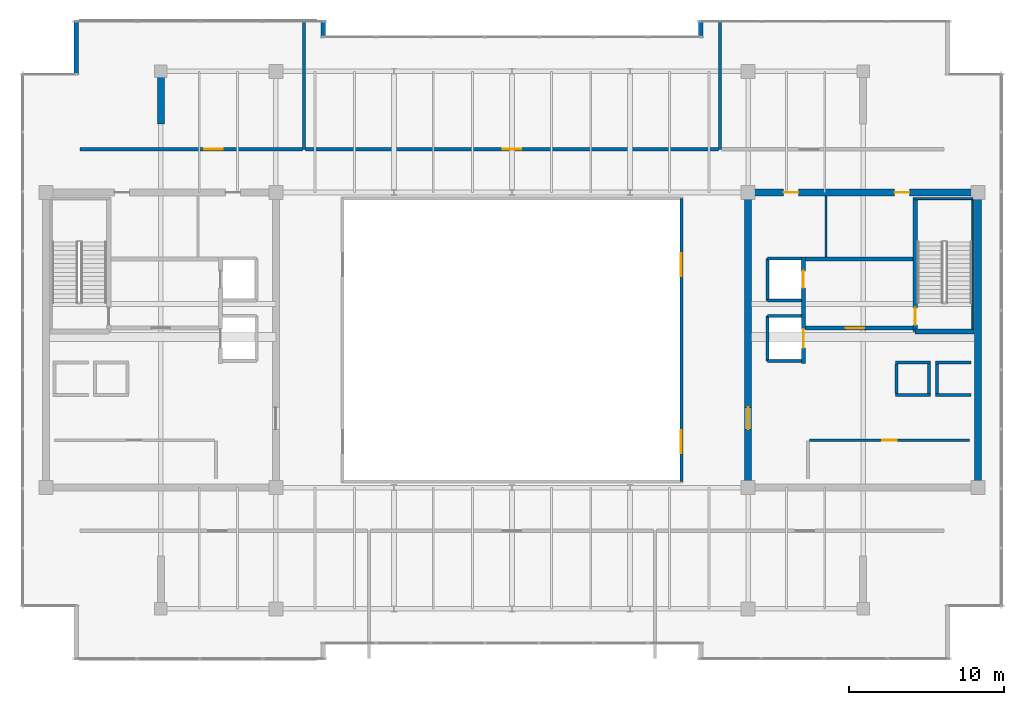
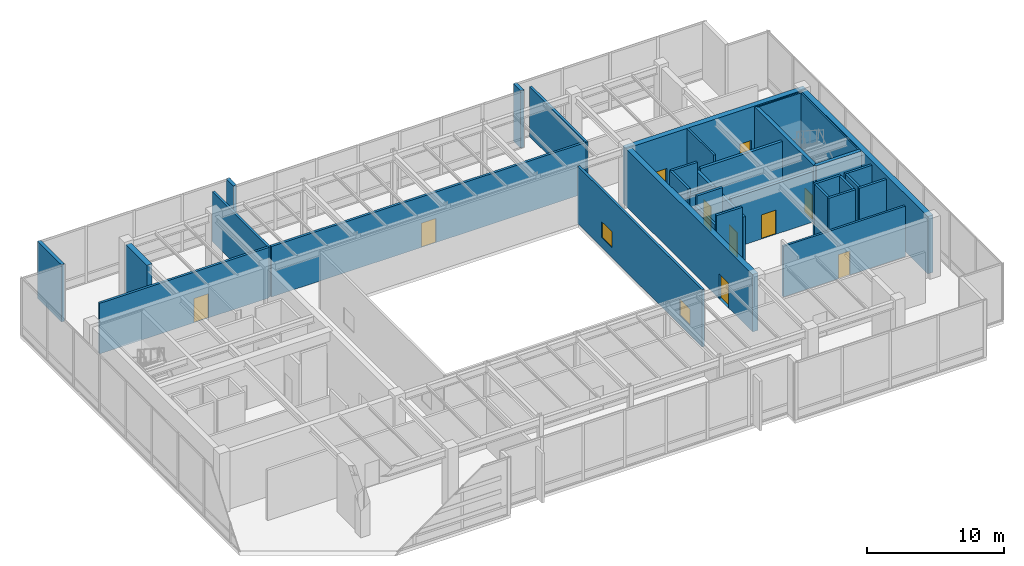
# One storey, part 26 of 30: 34 walls, 10 doors, 2 windows, 12 openings.
"""IFC4 building model written with IfcOpenShell, lengths in metres."""

from ifc_helpers import new_model, si_unit, direction, frame, frame_2d, origin, place, context, subcontext, project, spatial, rectangle, extrude, source, transform, mapped, material, layer, layer_set, type_object, type_shapes, element, fill, save


model = new_model("IFC4")

# Units and contexts
model_context = context("Model", 3, precision=1e-05, world=origin(), true_north=direction((0.0, 1.0)))
body_context = subcontext(model_context, "Body", "Model", "MODEL_VIEW")
ifc_project = project(units=[si_unit("LENGTHUNIT", "METRE"), si_unit("AREAUNIT", "SQUARE_METRE"), si_unit("VOLUMEUNIT", "CUBIC_METRE"), si_unit("PLANEANGLEUNIT", "RADIAN"), si_unit("MASSUNIT", "GRAM", prefix="KILO")], contexts=[model_context])

# Site, building, storey
site_placement = place(None, origin())
site = spatial("IfcSite", under=ifc_project, at=site_placement, CompositionType="ELEMENT")
building_placement = place(site_placement, origin())
building = spatial("IfcBuilding", under=site, at=building_placement, Name="Haelvirn Gate Laboratories", CompositionType="ELEMENT")
storey_placement = place(building_placement, frame((0.0, 0.0, 327.0)))
storey = spatial("IfcBuildingStorey", under=building, at=storey_placement, Name="L78", CompositionType="ELEMENT", Elevation=327.0)

# Walls
ifc_material_1 = material(Name="Thermally-broken bronze aluminium rainscreen & mineral wool", Category="aluminium")
ifc_layer_1 = layer(ifc_material_1, 0.280029296875, Name="EW-TERR-280")
ifc_layer_set_1 = layer_set([ifc_layer_1], Name="Thermally-broken bronze aluminium rainscreen & mineral wool")
wall_type_1 = type_object("IfcWallType", Name="EW-TERR-280", PredefinedType="STANDARD", material=ifc_layer_set_1)
for number, where, z_axis, x_axis, name in (
    (1, (49.5400390625, 44.89990234375, 0.0), (0.0, 0.0, 1.0), (0.0, -1.0, 0.0), "L78 Atrium Recess Bronze Return Wall 11"),
    (2, (25.260009765625, 43.81689453125, 0.0), (0.0, 0.0, 1.0), (0.0, 1.0, 0.0), "L78 Atrium Recess Bronze Return Wall 13"),
):
    element("IfcWall", number, at=place(storey_placement, frame(where, z_axis=z_axis, x_axis=x_axis)), inside=storey, type_object=wall_type_1, Name=name, PredefinedType="STANDARD", context=body_context, shape_type="SweptSolid", body=[
        extrude(rectangle(XDim=1.0830078125, YDim=0.280029296875, at=frame_2d((0.54150390625, 0.0))), origin(), (0.0, 0.0, 1.0), 5.1201171875),
    ])
wall_1_placement = place(storey_placement, frame((9.340087890625, 44.89990234375, 0.0), z_axis=(0.0, 0.0, 1.0), x_axis=(0.0, -1.0, 0.0)))
element("IfcWall", 3, at=wall_1_placement, inside=storey, type_object=wall_type_1, Name="L78 Atrium Recess Bronze Return Wall 15", PredefinedType="STANDARD", context=body_context, shape_type="SweptSolid", body=[
    extrude(rectangle(XDim=3.48779296875, YDim=0.280029296875, at=frame_2d((1.743896484375, 0.0))), origin(), (0.0, 0.0, 1.0), 5.1201171875),
])

# Wall, openings, windows
ifc_material_2 = material(Name="Tempered fire-rated borosilicate glass & anodised aluminium", Category="aluminium")
ifc_layer_2 = layer(ifc_material_2, 0.195068359375, Name="IW-GLAZ-200")
ifc_layer_set_2 = layer_set([ifc_layer_2], Name="Tempered fire-rated borosilicate glass & anodised aluminium")
wall_type_2 = type_object("IfcWallType", Name="IW-GLAZ-200", PredefinedType="SOLIDWALL", material=ifc_layer_set_2)
wall_2_placement = place(storey_placement, frame((48.300048828125, 15.199951171875, 0.0), z_axis=(0.0, 0.0, 1.0), x_axis=(0.0, 1.0, 0.0)))
wall_2 = element("IfcWall", 4, at=wall_2_placement, inside=storey, type_object=wall_type_2, Name="L78 Interior Wall IW-L78-ATRIUM-E", PredefinedType="SOLIDWALL", context=body_context, shape_type="SweptSolid", body=[
    extrude(rectangle(XDim=18.199951171875, YDim=0.195068359375, at=frame_2d((9.10009765625, 0.0))), origin(), (0.0, 0.0, 1.0), 5.1201171875),
])
opening_1_placement = place(wall_2_placement, frame((1.800048828125, 0.0, 0.89990234375)))
opening_1 = element("IfcOpeningElement", 5, at=opening_1_placement, cuts=wall_2, Name="Opening W5", PredefinedType="OPENING", context=body_context, shape_type="SweptSolid", body=[
    extrude(rectangle(XDim=1.5, YDim=1.39990234375, at=frame_2d((0.75, 0.699951171875))), frame((0.0, 0.107421875, 0.0), z_axis=(0.0, -1.0, 0.0), x_axis=(1.0, 0.0, 0.0)), (0.0, 0.0, 1.0), 0.215087890625),
])
opening_2_placement = place(wall_2_placement, frame((13.199951171875, 0.0, 0.89990234375)))
opening_2 = element("IfcOpeningElement", 6, at=opening_2_placement, cuts=wall_2, Name="Opening W5", PredefinedType="OPENING", context=body_context, shape_type="SweptSolid", body=[
    extrude(rectangle(XDim=1.5, YDim=1.39990234375, at=frame_2d((0.75, 0.699951171875))), frame((0.0, 0.107421875, 0.0), z_axis=(0.0, -1.0, 0.0), x_axis=(1.0, 0.0, 0.0)), (0.0, 0.0, 1.0), 0.215087890625),
])
ifc_material_3 = material(Name="Fire-rated EI 120 borosilicate atrium vision glazing", Category="glass")
window_type = type_object("IfcWindowType", Name="WN-ATR-1500", PartitioningType="SINGLE_PANEL", PredefinedType="WINDOW", material=ifc_material_3)
shared_shape_1 = source(origin(), body_context, "Body", "SweptSolid", [
    extrude(rectangle(XDim=1.5, YDim=1.39990234375, at=frame_2d((0.75, 0.699951171875))), frame((0.0, 0.030029296875, 0.0), z_axis=(0.0, -1.0, 0.0), x_axis=(1.0, 0.0, 0.0)), (0.0, 0.0, 1.0), 0.06005859375),
])
type_shapes(window_type, [shared_shape_1])
window_1_placement = place(opening_1_placement, origin())
window_1 = element("IfcWindow", 7, at=window_1_placement, inside=storey, type_object=window_type, Name="L78 Atrium Observation Window 1", OverallHeight=1.39990234375, OverallWidth=1.5, PartitioningType="SINGLE_PANEL", PredefinedType="WINDOW", context=body_context, shape_type="MappedRepresentation", body=[
    mapped(shared_shape_1, transform((0.0, 0.0, 0.0), scale=1.0)),
])
fill(opening_1, window_1)
window_2_placement = place(opening_2_placement, origin())
window_2 = element("IfcWindow", 8, at=window_2_placement, inside=storey, type_object=window_type, Name="L78 Atrium Observation Window 2", OverallHeight=1.39990234375, OverallWidth=1.5, PartitioningType="SINGLE_PANEL", PredefinedType="WINDOW", context=body_context, shape_type="MappedRepresentation", body=[
    mapped(shared_shape_1, transform((0.0, 0.0, 0.0), scale=1.0)),
])
fill(opening_2, window_2)

# Walls
ifc_material_4 = material(Name="Cement-board restroom plumbing chase wall", Category="gypsum")
ifc_layer_3 = layer(ifc_material_4, 0.155029296875, Name="IW-PLUMB-160")
ifc_layer_set_3 = layer_set([ifc_layer_3], Name="Cement-board restroom plumbing chase wall")
wall_type_3 = type_object("IfcWallType", Name="IW-PLUMB-160", PredefinedType="PLUMBINGWALL", material=ifc_layer_set_3)
wall_3_placement = place(storey_placement, frame((57.610107421875, 29.64990234375, 0.0), z_axis=(0.0, 0.0, 1.0), x_axis=(0.0, 1.0, 0.0)))
element("IfcWall", 9, at=wall_3_placement, inside=storey, type_object=wall_type_3, Name="L78 Interior Wall IW-L78-E-CDIV-1", PredefinedType="PLUMBINGWALL", context=body_context, shape_type="SweptSolid", body=[
    extrude(rectangle(XDim=3.93017578125, YDim=0.155029296875, at=frame_2d((1.965087890625, 0.0))), origin(), (0.0, 0.0, 1.0), 5.1201171875),
])
ifc_material_5 = material(Name="Concrete C40/50", Category="concrete")
ifc_layer_4 = layer(ifc_material_5, 0.179931640625, Name="IW-SHAFT-180")
ifc_layer_set_4 = layer_set([ifc_layer_4], Name="Concrete C40/50")
wall_type_4 = type_object("IfcWallType", Name="IW-SHAFT-180", PredefinedType="SOLIDWALL", material=ifc_layer_set_4)
for number, where, z_axis, x_axis, name in (
    (10, (64.75, 20.85009765625, 0.0), (0.0, 0.0, 1.0), (0.0, 1.0, 0.0), "L78 Interior Wall IW-L78-PL11-SD"),
    (11, (62.14990234375, 20.85009765625, 0.0), (0.0, 0.0, 1.0), (0.0, 1.0, 0.0), "L78 Interior Wall IW-L78-PL12-SD"),
    (12, (64.25, 20.85009765625, 0.0), (0.0, 0.0, 1.0), (0.0, 1.0, 0.0), "L78 Interior Wall IW-L78-PL12-SDE"),
):
    element("IfcWall", number, at=place(storey_placement, frame(where, z_axis=z_axis, x_axis=x_axis)), inside=storey, type_object=wall_type_4, Name=name, PredefinedType="SOLIDWALL", context=body_context, shape_type="SweptSolid", body=[
        extrude(rectangle(XDim=1.89990234375, YDim=0.179931640625, at=frame_2d((0.949951171875, 0.0))), origin(), (0.0, 0.0, 1.0), 5.1201171875),
    ])

# Wall, opening, door
wall_4_placement = place(storey_placement, frame((56.550048828125, 17.85009765625, 0.0), z_axis=(0.0, 0.0, 1.0), x_axis=(1.0, 0.0, 0.0)))
wall_4 = element("IfcWall", 13, at=wall_4_placement, inside=storey, type_object=wall_type_4, Name="L78 Interior Wall IW-L78-E-FREED-HN-1", PredefinedType="SOLIDWALL", context=body_context, shape_type="SweptSolid", body=[
    extrude(rectangle(XDim=10.300048828125, YDim=0.179931640625, at=frame_2d((5.14990234375, 0.0))), origin(), (0.0, 0.0, 1.0), 4.51708984375),
])
opening_3_placement = place(wall_4_placement, frame((4.675048828125, 0.0, 0.0)))
opening_3 = element("IfcOpeningElement", 14, at=opening_3_placement, cuts=wall_4, Name="Opening FD4", PredefinedType="OPENING", context=body_context, shape_type="SweptSolid", body=[
    extrude(rectangle(XDim=0.949951171875, YDim=2.14990234375, at=frame_2d((0.47509765625, 1.074951171875))), frame((0.0, 0.10009765625, 0.0), z_axis=(0.0, -1.0, 0.0), x_axis=(1.0, 0.0, 0.0)), (0.0, 0.0, 1.0), 0.199951171875),
])
ifc_material_6 = material(Name="Fire-rated steel SM355 core service door", Category="steel")
door_type_1 = type_object("IfcDoorType", Name="DR-FD-950", OperationType="NOTDEFINED", PredefinedType="DOOR", material=ifc_material_6)
shared_shape_2 = source(origin(), body_context, "Body", "SweptSolid", [
    extrude(rectangle(XDim=0.949951171875, YDim=2.14990234375, at=frame_2d((0.47509765625, 1.074951171875))), frame((0.0, 0.02490234375, 0.0), z_axis=(0.0, -1.0, 0.0), x_axis=(1.0, 0.0, 0.0)), (0.0, 0.0, 1.0), 0.050048828125),
])
type_shapes(door_type_1, [shared_shape_2])
door_1_placement = place(opening_3_placement, origin())
door_1 = element("IfcDoor", 15, at=door_1_placement, inside=storey, type_object=door_type_1, Name="L78 High-Zone Cryogenic Biobank Vault Door", OperationType="SINGLE_SWING_LEFT", OverallHeight=2.14990234375, OverallWidth=0.949951171875, PredefinedType="DOOR", context=body_context, shape_type="MappedRepresentation", body=[
    mapped(shared_shape_2, transform((0.0, 0.0, 0.0), scale=1.0)),
])
fill(opening_3, door_1)

# Walls
ifc_layer_5 = layer(ifc_material_5, 0.199951171875, Name="IW-SHAFT-200")
ifc_layer_set_5 = layer_set([ifc_layer_5], Name="Concrete C40/50")
wall_type_5 = type_object("IfcWallType", Name="IW-SHAFT-200", PredefinedType="SOLIDWALL", material=ifc_layer_set_5)
for number, where, z_axis, x_axis, name in (
    (16, (64.669921875, 20.75, 0.0), (0.0, 0.0, 1.0), (1.0, 0.0, 0.0), "L78 Interior Wall IW-L78-PL11-FR"),
    (17, (64.669921875, 22.85009765625, 0.0), (0.0, 0.0, 1.0), (1.0, 0.0, 0.0), "L78 Interior Wall IW-L78-PL11-BK"),
    (18, (62.070068359375, 20.75, 0.0), (0.0, 0.0, 1.0), (1.0, 0.0, 0.0), "L78 Interior Wall IW-L78-PL12-FR"),
    (19, (62.070068359375, 22.85009765625, 0.0), (0.0, 0.0, 1.0), (1.0, 0.0, 0.0), "L78 Interior Wall IW-L78-PL12-BK"),
):
    element("IfcWall", number, at=place(storey_placement, frame(where, z_axis=z_axis, x_axis=x_axis)), inside=storey, type_object=wall_type_5, Name=name, PredefinedType="SOLIDWALL", context=body_context, shape_type="SweptSolid", body=[
        extrude(rectangle(XDim=2.260009765625, YDim=0.199951171875, at=frame_2d((1.1298828125, 0.0))), origin(), (0.0, 0.0, 1.0), 5.1201171875),
    ])
wall_5_placement = place(storey_placement, frame((53.85009765625, 26.85009765625, 0.0), z_axis=(0.0, 0.0, 1.0), x_axis=(0.0, 1.0, 0.0)))
element("IfcWall", 20, at=wall_5_placement, inside=storey, type_object=wall_type_5, Name="L78 Interior Wall IW-L78-FL2-BK", PredefinedType="SOLIDWALL", context=body_context, shape_type="SweptSolid", body=[
    extrude(rectangle(XDim=2.699951171875, YDim=0.199951171875, at=frame_2d((1.35009765625, 0.0))), origin(), (0.0, 0.0, 1.0), 5.1201171875),
])
wall_6_placement = place(storey_placement, frame((53.85009765625, 29.550048828125, 0.0), z_axis=(0.0, 0.0, 1.0), x_axis=(1.0, 0.0, 0.0)))
element("IfcWall", 21, at=wall_6_placement, inside=storey, type_object=wall_type_5, Name="L78 Interior Wall IW-L78-FL2-N", PredefinedType="SOLIDWALL", context=body_context, shape_type="SweptSolid", body=[
    extrude(rectangle(XDim=2.18994140625, YDim=0.199951171875, at=frame_2d((1.094970703125, 0.0))), origin(), (0.0, 0.0, 1.0), 5.1201171875),
])
wall_7_placement = place(storey_placement, frame((53.85009765625, 26.85009765625, 0.0), z_axis=(0.0, 0.0, 1.0), x_axis=(1.0, 0.0, 0.0)))
element("IfcWall", 22, at=wall_7_placement, inside=storey, type_object=wall_type_5, Name="L78 Interior Wall IW-L78-FL2-S", PredefinedType="SOLIDWALL", context=body_context, shape_type="SweptSolid", body=[
    extrude(rectangle(XDim=2.18994140625, YDim=0.199951171875, at=frame_2d((1.094970703125, 0.0))), origin(), (0.0, 0.0, 1.0), 4.51708984375),
])
wall_8_placement = place(storey_placement, frame((53.85009765625, 22.949951171875, 0.0), z_axis=(0.0, 0.0, 1.0), x_axis=(0.0, 1.0, 0.0)))
element("IfcWall", 23, at=wall_8_placement, inside=storey, type_object=wall_type_5, Name="L78 Interior Wall IW-L78-SL2-BK", PredefinedType="SOLIDWALL", context=body_context, shape_type="SweptSolid", body=[
    extrude(rectangle(XDim=2.900146484375, YDim=0.199951171875, at=frame_2d((1.4501953125, 0.0))), origin(), (0.0, 0.0, 1.0), 4.2548828125),
])
for number, where, z_axis, x_axis, name in (
    (24, (53.85009765625, 25.85009765625, 0.0), (0.0, 0.0, 1.0), (1.0, 0.0, 0.0), "L78 Interior Wall IW-L78-SL2-N"),
    (25, (53.85009765625, 22.949951171875, 0.0), (0.0, 0.0, 1.0), (1.0, 0.0, 0.0), "L78 Interior Wall IW-L78-SL2-S"),
):
    element("IfcWall", number, at=place(storey_placement, frame(where, z_axis=z_axis, x_axis=x_axis)), inside=storey, type_object=wall_type_5, Name=name, PredefinedType="SOLIDWALL", context=body_context, shape_type="SweptSolid", body=[
        extrude(rectangle(XDim=2.18994140625, YDim=0.199951171875, at=frame_2d((1.094970703125, 0.0))), origin(), (0.0, 0.0, 1.0), 5.1201171875),
    ])

# Wall, opening, door
wall_9_placement = place(storey_placement, frame((9.60009765625, 36.580078125, 0.0), z_axis=(0.0, 0.0, 1.0), x_axis=(1.0, 0.0, 0.0)))
wall_9 = element("IfcWall", 26, at=wall_9_placement, inside=storey, type_object=wall_type_5, Name="L78 Interior Wall IW-L78-PNW-1", PredefinedType="SOLIDWALL", context=body_context, shape_type="SweptSolid", body=[
    extrude(rectangle(XDim=14.2998046875, YDim=0.199951171875, at=frame_2d((7.14990234375, 0.0))), origin(), (0.0, 0.0, 1.0), 4.51708984375),
])
opening_4_placement = place(wall_9_placement, frame((7.980712890625, 0.0, 0.0)))
opening_4 = element("IfcOpeningElement", 27, at=opening_4_placement, cuts=wall_9, Name="Opening FD2", PredefinedType="OPENING", context=body_context, shape_type="SweptSolid", body=[
    extrude(rectangle(XDim=1.199951171875, YDim=2.159912109375, at=frame_2d((0.60009765625, 1.080078125))), frame((0.0, 0.10986328125, 0.0), z_axis=(0.0, -1.0, 0.0), x_axis=(1.0, 0.0, 0.0)), (0.0, 0.0, 1.0), 0.219970703125),
])
ifc_material_7 = material(Name="Fire-rated steel SM355 compartment door", Category="steel")
door_type_2 = type_object("IfcDoorType", Name="DR-FD-1200", OperationType="NOTDEFINED", PredefinedType="DOOR", material=ifc_material_7)
shared_shape_3 = source(origin(), body_context, "Body", "SweptSolid", [
    extrude(rectangle(XDim=1.199951171875, YDim=2.159912109375, at=frame_2d((0.60009765625, 1.080078125))), frame((0.0, 0.02490234375, 0.0), z_axis=(0.0, -1.0, 0.0), x_axis=(1.0, 0.0, 0.0)), (0.0, 0.0, 1.0), 0.050048828125),
])
type_shapes(door_type_2, [shared_shape_3])
door_2_placement = place(opening_4_placement, origin())
door_2 = element("IfcDoor", 28, at=door_2_placement, inside=storey, type_object=door_type_2, Name="L78 Facade Maintenance BMU Winch Plant Fire Door", OperationType="SINGLE_SWING_RIGHT", OverallHeight=2.159912109375, OverallWidth=1.199951171875, PredefinedType="DOOR", context=body_context, shape_type="MappedRepresentation", body=[
    mapped(shared_shape_3, transform((0.0, 0.0, 0.0), scale=1.0)),
])
fill(opening_4, door_2)

# Wall
wall_10_placement = place(storey_placement, frame((24.0, 36.580078125, 0.0), z_axis=(0.0, 0.0, 1.0), x_axis=(0.0, 1.0, 0.0)))
element("IfcWall", 29, at=wall_10_placement, inside=storey, type_object=wall_type_5, Name="L78 Interior Wall IW-L78-PNDIV-1", PredefinedType="SOLIDWALL", context=body_context, shape_type="SweptSolid", body=[
    extrude(rectangle(XDim=8.2099609375, YDim=0.199951171875, at=frame_2d((4.10498046875, 0.0))), origin(), (0.0, 0.0, 1.0), 4.455078125),
])

# Wall, opening, door
wall_11_placement = place(storey_placement, frame((24.10009765625, 36.580078125, 0.0), z_axis=(0.0, 0.0, 1.0), x_axis=(1.0, 0.0, 0.0)))
wall_11 = element("IfcWall", 30, at=wall_11_placement, inside=storey, type_object=wall_type_5, Name="L78 Interior Wall IW-L78-PNW-2", PredefinedType="SOLIDWALL", context=body_context, shape_type="SweptSolid", body=[
    extrude(rectangle(XDim=26.599853515625, YDim=0.199951171875, at=frame_2d((13.2998046875, 0.0))), origin(), (0.0, 0.0, 1.0), 4.51708984375),
])
opening_5_placement = place(wall_11_placement, frame((12.699951171875, 0.0, 0.0)))
opening_5 = element("IfcOpeningElement", 31, at=opening_5_placement, cuts=wall_11, Name="Opening FD2", PredefinedType="OPENING", context=body_context, shape_type="SweptSolid", body=[
    extrude(rectangle(XDim=1.199951171875, YDim=2.159912109375, at=frame_2d((0.60009765625, 1.080078125))), frame((0.0, 0.10986328125, 0.0), z_axis=(0.0, -1.0, 0.0), x_axis=(1.0, 0.0, 0.0)), (0.0, 0.0, 1.0), 0.219970703125),
])
door_3_placement = place(opening_5_placement, origin())
door_3 = element("IfcDoor", 32, at=door_3_placement, inside=storey, type_object=door_type_2, Name="L78 High-Rise Lift Machine & Control Plant Fire Door", OperationType="SINGLE_SWING_LEFT", OverallHeight=2.159912109375, OverallWidth=1.199951171875, PredefinedType="DOOR", context=body_context, shape_type="MappedRepresentation", body=[
    mapped(shared_shape_3, transform((0.0, 0.0, 0.0), scale=1.0)),
])
fill(opening_5, door_3)

# Wall
wall_12_placement = place(storey_placement, frame((50.800048828125, 36.580078125, 0.0), z_axis=(0.0, 0.0, 1.0), x_axis=(0.0, 1.0, 0.0)))
element("IfcWall", 33, at=wall_12_placement, inside=storey, type_object=wall_type_5, Name="L78 Interior Wall IW-L78-PNDIV-2", PredefinedType="SOLIDWALL", context=body_context, shape_type="SweptSolid", body=[
    extrude(rectangle(XDim=8.2099609375, YDim=0.199951171875, at=frame_2d((4.10498046875, 0.0))), origin(), (0.0, 0.0, 1.0), 4.455078125),
])

# Wall, opening, door
ifc_layer_6 = layer(ifc_material_5, 0.239990234375, Name="IW-SHAFT-240")
ifc_layer_set_6 = layer_set([ifc_layer_6], Name="Concrete C40/50")
wall_type_6 = type_object("IfcWallType", Name="IW-SHAFT-240", PredefinedType="SOLIDWALL", material=ifc_layer_set_6)
wall_13_placement = place(storey_placement, frame((56.280029296875, 25.080078125, 0.0), z_axis=(0.0, 0.0, 1.0), x_axis=(1.0, 0.0, 0.0)))
wall_13 = element("IfcWall", 34, at=wall_13_placement, inside=storey, type_object=wall_type_6, Name="L78 Interior Wall IW-L78-E-FF-S", PredefinedType="SOLIDWALL", context=body_context, shape_type="SweptSolid", body=[
    extrude(rectangle(XDim=6.919921875, YDim=0.239990234375, at=frame_2d((3.4599609375, 0.0))), origin(), (0.0, 0.0, 1.0), 4.51708984375),
])
opening_6_placement = place(wall_13_placement, frame((2.60009765625, 0.0, 0.0)))
opening_6 = element("IfcOpeningElement", 35, at=opening_6_placement, cuts=wall_13, Name="Opening FD2", PredefinedType="OPENING", context=body_context, shape_type="SweptSolid", body=[
    extrude(rectangle(XDim=1.199951171875, YDim=2.159912109375, at=frame_2d((0.60009765625, 1.080078125))), frame((0.0, 0.1298828125, 0.0), z_axis=(0.0, -1.0, 0.0), x_axis=(1.0, 0.0, 0.0)), (0.0, 0.0, 1.0), 0.260009765625),
])
door_4_placement = place(opening_6_placement, origin())
door_4 = element("IfcDoor", 36, at=door_4_placement, inside=storey, type_object=door_type_2, Name="L78 East Firefighting Lobby Door", OperationType="SINGLE_SWING_LEFT", OverallHeight=2.159912109375, OverallWidth=1.199951171875, PredefinedType="DOOR", context=body_context, shape_type="MappedRepresentation", body=[
    mapped(shared_shape_3, transform((0.0, 0.0, 0.0), scale=1.0)),
])
fill(opening_6, door_4)

# Wall
wall_14_placement = place(storey_placement, frame((56.280029296875, 29.52001953125, 0.0), z_axis=(0.0, 0.0, 1.0), x_axis=(1.0, 0.0, 0.0)))
element("IfcWall", 37, at=wall_14_placement, inside=storey, type_object=wall_type_6, Name="L78 Interior Wall IW-L78-E-FF-N", PredefinedType="SOLIDWALL", context=body_context, shape_type="SweptSolid", body=[
    extrude(rectangle(XDim=6.919921875, YDim=0.239990234375, at=frame_2d((3.4599609375, 0.0))), origin(), (0.0, 0.0, 1.0), 4.51708984375),
])

# Wall, openings, doors
wall_15_placement = place(storey_placement, frame((56.159912109375, 22.800048828125, 0.0), z_axis=(0.0, 0.0, 1.0), x_axis=(0.0, 1.0, 0.0)))
wall_15 = element("IfcWall", 38, at=wall_15_placement, inside=storey, type_object=wall_type_6, Name="L78 Interior Wall IW-L78-E-FF-E", PredefinedType="SOLIDWALL", context=body_context, shape_type="SweptSolid", body=[
    extrude(rectangle(XDim=6.849853515625, YDim=0.239990234375, at=frame_2d((3.4248046875, 0.0))), origin(), (0.0, 0.0, 1.0), 4.2548828125),
])
opening_7_placement = place(wall_15_placement, frame((4.85009765625, 0.0, 0.0)))
opening_7 = element("IfcOpeningElement", 39, at=opening_7_placement, cuts=wall_15, Name="Opening LD2", PredefinedType="OPENING", context=body_context, shape_type="SweptSolid", body=[
    extrude(rectangle(XDim=1.10009765625, YDim=2.219970703125, at=frame_2d((0.550048828125, 1.10986328125))), frame((0.0, 0.1298828125, 0.0), z_axis=(0.0, -1.0, 0.0), x_axis=(1.0, 0.0, 0.0)), (0.0, 0.0, 1.0), 0.260009765625),
])
opening_8_placement = place(wall_15_placement, frame((1.0, 0.0, 0.0)))
opening_8 = element("IfcOpeningElement", 40, at=opening_8_placement, cuts=wall_15, Name="Opening LD1", PredefinedType="OPENING", context=body_context, shape_type="SweptSolid", body=[
    extrude(rectangle(XDim=1.199951171875, YDim=2.219970703125, at=frame_2d((0.60009765625, 1.10986328125))), frame((0.0, 0.1298828125, 0.0), z_axis=(0.0, -1.0, 0.0), x_axis=(1.0, 0.0, 0.0)), (0.0, 0.0, 1.0), 0.260009765625),
])
ifc_material_8 = material(Name="Bronze stainless 316L sliding lift landing door")
door_type_3 = type_object("IfcDoorType", Name="DR-LD-1100", OperationType="NOTDEFINED", PredefinedType="USERDEFINED", material=ifc_material_8)
shared_shape_4 = source(origin(), body_context, "Body", "SweptSolid", [
    extrude(rectangle(XDim=1.10009765625, YDim=2.219970703125, at=frame_2d((0.550048828125, 1.10986328125))), frame((0.0, 0.02490234375, 0.0), z_axis=(0.0, -1.0, 0.0), x_axis=(1.0, 0.0, 0.0)), (0.0, 0.0, 1.0), 0.050048828125),
])
type_shapes(door_type_3, [shared_shape_4])
door_5_placement = place(opening_7_placement, origin())
door_5 = element("IfcDoor", 41, at=door_5_placement, inside=storey, type_object=door_type_3, Name="L78 Firefighting Lift FL2 Landing Door", ObjectType="LANDING_DOOR", OperationType="SLIDING_TO_RIGHT", OverallHeight=2.219970703125, OverallWidth=1.10009765625, PredefinedType="USERDEFINED", context=body_context, shape_type="MappedRepresentation", body=[
    mapped(shared_shape_4, transform((0.0, 0.0, 0.0), scale=1.0)),
])
fill(opening_7, door_5)
ifc_material_9 = material(Name="Stainless steel 316L sliding goods landing door", Category="steel")
door_type_4 = type_object("IfcDoorType", Name="DR-LD-1200", OperationType="NOTDEFINED", PredefinedType="USERDEFINED", material=ifc_material_9)
shared_shape_5 = source(origin(), body_context, "Body", "SweptSolid", [
    extrude(rectangle(XDim=1.199951171875, YDim=2.219970703125, at=frame_2d((0.60009765625, 1.10986328125))), frame((0.0, 0.02490234375, 0.0), z_axis=(0.0, -1.0, 0.0), x_axis=(1.0, 0.0, 0.0)), (0.0, 0.0, 1.0), 0.050048828125),
])
type_shapes(door_type_4, [shared_shape_5])
door_6_placement = place(opening_8_placement, origin())
door_6 = element("IfcDoor", 42, at=door_6_placement, inside=storey, type_object=door_type_4, Name="L78 Service Lift SL2 Landing Door", ObjectType="LANDING_DOOR", OperationType="SLIDING_TO_LEFT", OverallHeight=2.219970703125, OverallWidth=1.199951171875, PredefinedType="USERDEFINED", context=body_context, shape_type="MappedRepresentation", body=[
    mapped(shared_shape_5, transform((0.0, 0.0, 0.0), scale=1.0)),
])
fill(opening_8, door_6)

ifc_material_10 = material(Name="Concrete C50/60", Category="concrete")
ifc_layer_7 = layer(ifc_material_10, 0.449951171875, Name="SW-CORE-450")
ifc_layer_set_7 = layer_set([ifc_layer_7], Name="Concrete C50/60")
wall_type_7 = type_object("IfcWallType", Name="SW-CORE-450", PredefinedType="SHEAR", material=ifc_layer_set_7)
wall_16_placement = place(storey_placement, frame((52.375, 33.800048828125, 0.0), z_axis=(0.0, 0.0, 1.0), x_axis=(1.0, 0.0, 0.0)))
wall_16 = element("IfcWall", 43, at=wall_16_placement, inside=storey, type_object=wall_type_7, Name="L78 E Core Shear Wall N", PredefinedType="SHEAR", context=body_context, shape_type="SweptSolid", body=[
    extrude(rectangle(XDim=15.25, YDim=0.449951171875, at=frame_2d((7.625, 0.0))), origin(), (0.0, 0.0, 1.0), 5.1201171875),
])
opening_9_placement = place(wall_16_placement, frame((9.64990234375, 0.0, 0.0)))
opening_9 = element("IfcOpeningElement", 44, at=opening_9_placement, cuts=wall_16, Name="Opening FD4", PredefinedType="OPENING", context=body_context, shape_type="SweptSolid", body=[
    extrude(rectangle(XDim=0.949951171875, YDim=2.14990234375, at=frame_2d((0.47509765625, 1.074951171875))), frame((0.0, 0.23486328125, 0.0), z_axis=(0.0, -1.0, 0.0), x_axis=(1.0, 0.0, 0.0)), (0.0, 0.0, 1.0), 0.469970703125),
])
opening_10_placement = place(wall_16_placement, frame((2.510009765625, 0.0, 0.0)))
opening_10 = element("IfcOpeningElement", 45, at=opening_10_placement, cuts=wall_16, Name="Opening FD4", PredefinedType="OPENING", context=body_context, shape_type="SweptSolid", body=[
    extrude(rectangle(XDim=0.949951171875, YDim=2.14990234375, at=frame_2d((0.47509765625, 1.074951171875))), frame((0.0, 0.23486328125, 0.0), z_axis=(0.0, -1.0, 0.0), x_axis=(1.0, 0.0, 0.0)), (0.0, 0.0, 1.0), 0.469970703125),
])
door_7_placement = place(opening_9_placement, origin())
door_7 = element("IfcDoor", 46, at=door_7_placement, inside=storey, type_object=door_type_1, Name="L78 All-Gender Multi-Stall Restroom Fire Door", OperationType="SINGLE_SWING_LEFT", OverallHeight=2.14990234375, OverallWidth=0.949951171875, PredefinedType="DOOR", context=body_context, shape_type="MappedRepresentation", body=[
    mapped(shared_shape_2, transform((0.0, 0.0, 0.0), scale=1.0)),
])
fill(opening_9, door_7)
door_8_placement = place(opening_10_placement, origin())
door_8 = element("IfcDoor", 47, at=door_8_placement, inside=storey, type_object=door_type_1, Name="L78 Accessible Restroom Fire Door", OperationType="SINGLE_SWING_RIGHT", OverallHeight=2.14990234375, OverallWidth=0.949951171875, PredefinedType="DOOR", context=body_context, shape_type="MappedRepresentation", body=[
    mapped(shared_shape_2, transform((0.0, 0.0, 0.0), scale=1.0)),
])
fill(opening_10, door_8)

# Wall, opening, door
wall_17_placement = place(storey_placement, frame((52.60009765625, 15.02490234375, 0.0), z_axis=(0.0, 0.0, 1.0), x_axis=(0.0, 1.0, 0.0)))
wall_17 = element("IfcWall", 48, at=wall_17_placement, inside=storey, type_object=wall_type_7, Name="L78 E Core Shear Wall W", PredefinedType="SHEAR", context=body_context, shape_type="SweptSolid", body=[
    extrude(rectangle(XDim=18.550048828125, YDim=0.449951171875, at=frame_2d((9.27490234375, 0.0))), origin(), (0.0, 0.0, 1.0), 5.1201171875),
])
opening_11_placement = place(wall_17_placement, frame((3.52490234375, 0.0, 0.0)))
opening_11 = element("IfcOpeningElement", 49, at=opening_11_placement, cuts=wall_17, Name="Opening FD1", PredefinedType="OPENING", context=body_context, shape_type="SweptSolid", body=[
    extrude(rectangle(XDim=1.419921875, YDim=2.199951171875, at=frame_2d((0.7099609375, 1.10009765625))), frame((0.0, 0.23486328125, 0.0), z_axis=(0.0, -1.0, 0.0), x_axis=(1.0, 0.0, 0.0)), (0.0, 0.0, 1.0), 0.469970703125),
])
ifc_material_11 = material(Name="Fire-rated double steel SM355 lobby door", Category="steel")
door_type_5 = type_object("IfcDoorType", Name="DR-FD-1400", OperationType="NOTDEFINED", PredefinedType="DOOR", material=ifc_material_11)
shared_shape_6 = source(origin(), body_context, "Body", "SweptSolid", [
    extrude(rectangle(XDim=1.419921875, YDim=2.199951171875, at=frame_2d((0.7099609375, 1.10009765625))), frame((0.0, 0.02490234375, 0.0), z_axis=(0.0, -1.0, 0.0), x_axis=(1.0, 0.0, 0.0)), (0.0, 0.0, 1.0), 0.050048828125),
])
type_shapes(door_type_5, [shared_shape_6])
door_9_placement = place(opening_11_placement, origin())
door_9 = element("IfcDoor", 50, at=door_9_placement, inside=storey, type_object=door_type_5, Name="L78 East Core Lift Lobby Fire Door", OperationType="DOUBLE_DOOR_SINGLE_SWING", OverallHeight=2.199951171875, OverallWidth=1.419921875, PredefinedType="DOOR", context=body_context, shape_type="MappedRepresentation", body=[
    mapped(shared_shape_6, transform((0.0, 0.0, 0.0), scale=1.0)),
])
fill(opening_11, door_9)

# Walls
wall_18_placement = place(storey_placement, frame((67.39990234375, 15.02490234375, 0.0), z_axis=(0.0, 0.0, 1.0), x_axis=(0.0, 1.0, 0.0)))
element("IfcWall", 51, at=wall_18_placement, inside=storey, type_object=wall_type_7, Name="L78 E Core Shear Wall E", PredefinedType="SHEAR", context=body_context, shape_type="SweptSolid", body=[
    extrude(rectangle(XDim=18.550048828125, YDim=0.449951171875, at=frame_2d((9.27490234375, 0.0))), origin(), (0.0, 0.0, 1.0), 5.1201171875),
])
wall_19_placement = place(storey_placement, frame((14.800048828125, 38.199951171875, 0.0), z_axis=(0.0, 0.0, 1.0), x_axis=(0.0, 1.0, 0.0)))
element("IfcWall", 52, at=wall_19_placement, inside=storey, type_object=wall_type_7, Name="L78 Transverse Slab Shear Wall W-N", PredefinedType="SHEAR", context=body_context, shape_type="SweptSolid", body=[
    extrude(rectangle(XDim=3.10009765625, YDim=0.449951171875, at=frame_2d((1.550048828125, 0.0))), origin(), (0.0, 0.0, 1.0), 5.1201171875),
])
ifc_layer_8 = layer(ifc_material_10, 0.1201171875, Name="SW-LINER-120")
ifc_layer_set_8 = layer_set([ifc_layer_8], Name="Concrete C50/60")
wall_type_8 = type_object("IfcWallType", Name="SW-LINER-120", PredefinedType="SOLIDWALL", material=ifc_layer_set_8)
wall_20_placement = place(storey_placement, frame((63.35009765625, 33.39990234375, 0.0), z_axis=(0.0, 0.0, 1.0), x_axis=(1.0, 0.0, 0.0)))
element("IfcWall", 53, at=wall_20_placement, inside=storey, type_object=wall_type_8, Name="L78 E Core Stair Shaft Liner Wall N", PredefinedType="SOLIDWALL", context=body_context, shape_type="SweptSolid", body=[
    extrude(rectangle(XDim=3.719970703125, YDim=0.1201171875, at=frame_2d((1.85986328125, 0.0))), origin(), (0.0, 0.0, 1.0), 5.1201171875),
])
wall_21_placement = place(storey_placement, frame((67.070068359375, 25.0, 0.0), z_axis=(0.0, 0.0, 1.0), x_axis=(0.0, 1.0, 0.0)))
element("IfcWall", 54, at=wall_21_placement, inside=storey, type_object=wall_type_8, Name="L78 E Core Stair Shaft Liner Wall OUT", PredefinedType="SOLIDWALL", context=body_context, shape_type="SweptSolid", body=[
    extrude(rectangle(XDim=8.320068359375, YDim=0.1201171875, at=frame_2d((4.16015625, 0.0))), origin(), (0.0, 0.0, 1.0), 5.1201171875),
])

# Wall, opening, door
ifc_layer_9 = layer(ifc_material_10, 0.300048828125, Name="SW-STAIR-300")
ifc_layer_set_9 = layer_set([ifc_layer_9], Name="Concrete C50/60")
wall_type_9 = type_object("IfcWallType", Name="SW-STAIR-300", PredefinedType="SHEAR", material=ifc_layer_set_9)
wall_22_placement = place(storey_placement, frame((63.35009765625, 24.85009765625, 0.0), z_axis=(0.0, 0.0, 1.0), x_axis=(0.0, 1.0, 0.0)))
wall_22 = element("IfcWall", 55, at=wall_22_placement, inside=storey, type_object=wall_type_9, Name="L78 E Core Stair Shaft Structural Wall IN", PredefinedType="SHEAR", context=body_context, shape_type="SweptSolid", body=[
    extrude(rectangle(XDim=8.6298828125, YDim=0.300048828125, at=frame_2d((4.31494140625, 0.0))), origin(), (0.0, 0.0, 1.0), 5.1201171875),
])
opening_12_placement = place(wall_22_placement, frame((0.419921875, 0.0, 0.0)))
opening_12 = element("IfcOpeningElement", 56, at=opening_12_placement, cuts=wall_22, Name="Opening FD3", PredefinedType="OPENING", context=body_context, shape_type="SweptSolid", body=[
    extrude(rectangle(XDim=1.10009765625, YDim=2.14990234375, at=frame_2d((0.550048828125, 1.074951171875))), frame((0.0, 0.16015625, 0.0), z_axis=(0.0, -1.0, 0.0), x_axis=(1.0, 0.0, 0.0)), (0.0, 0.0, 1.0), 0.320068359375),
])
ifc_material_12 = material(Name="Fire-rated steel SM355 escape stair door", Category="steel")
door_type_6 = type_object("IfcDoorType", Name="DR-FD-1100", OperationType="NOTDEFINED", PredefinedType="DOOR", material=ifc_material_12)
shared_shape_7 = source(origin(), body_context, "Body", "SweptSolid", [
    extrude(rectangle(XDim=1.10009765625, YDim=2.14990234375, at=frame_2d((0.550048828125, 1.074951171875))), frame((0.0, 0.02490234375, 0.0), z_axis=(0.0, -1.0, 0.0), x_axis=(1.0, 0.0, 0.0)), (0.0, 0.0, 1.0), 0.050048828125),
])
type_shapes(door_type_6, [shared_shape_7])
door_10_placement = place(opening_12_placement, origin())
door_10 = element("IfcDoor", 57, at=door_10_placement, inside=storey, type_object=door_type_6, Name="L78 Escape Stair ST2 Fire Door", OperationType="SINGLE_SWING_RIGHT", OverallHeight=2.14990234375, OverallWidth=1.10009765625, PredefinedType="DOOR", context=body_context, shape_type="MappedRepresentation", body=[
    mapped(shared_shape_7, transform((0.0, 0.0, 0.0), scale=1.0)),
])
fill(opening_12, door_10)

# Wall
wall_23_placement = place(storey_placement, frame((63.35009765625, 24.85009765625, 0.0), z_axis=(0.0, 0.0, 1.0), x_axis=(1.0, 0.0, 0.0)))
element("IfcWall", 58, at=wall_23_placement, inside=storey, type_object=wall_type_9, Name="L78 E Core Stair Shaft Structural Wall S", PredefinedType="SHEAR", context=body_context, shape_type="SweptSolid", body=[
    extrude(rectangle(XDim=3.7998046875, YDim=0.300048828125, at=frame_2d((1.89990234375, 0.0))), origin(), (0.0, 0.0, 1.0), 5.1201171875),
])

save(model, "model.ifc")
